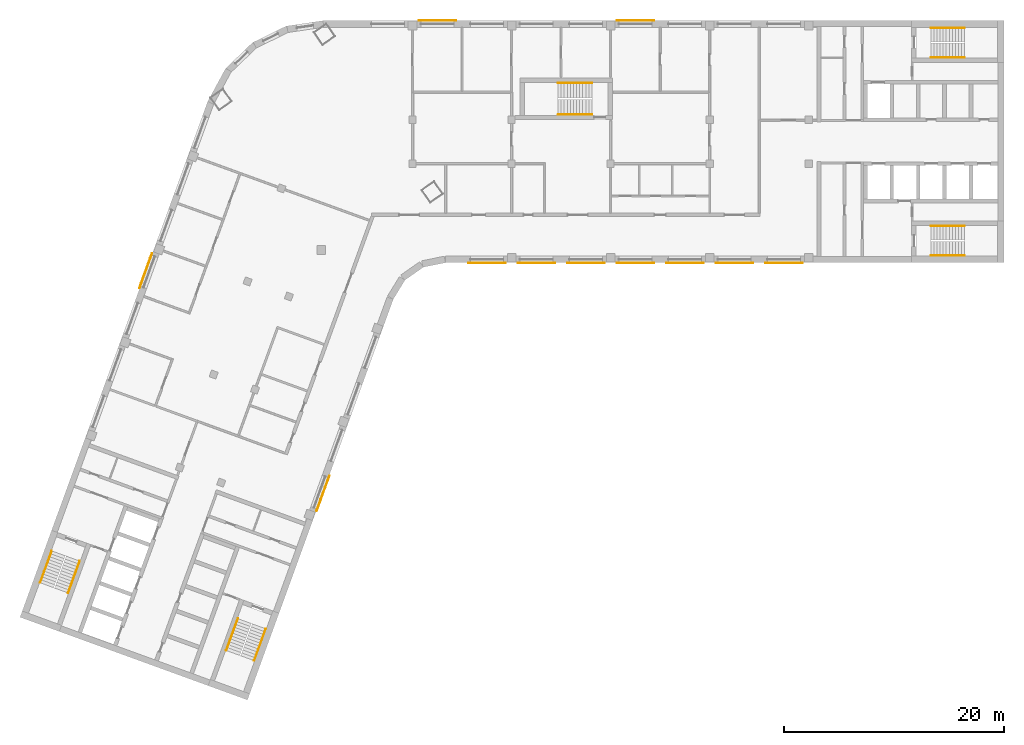
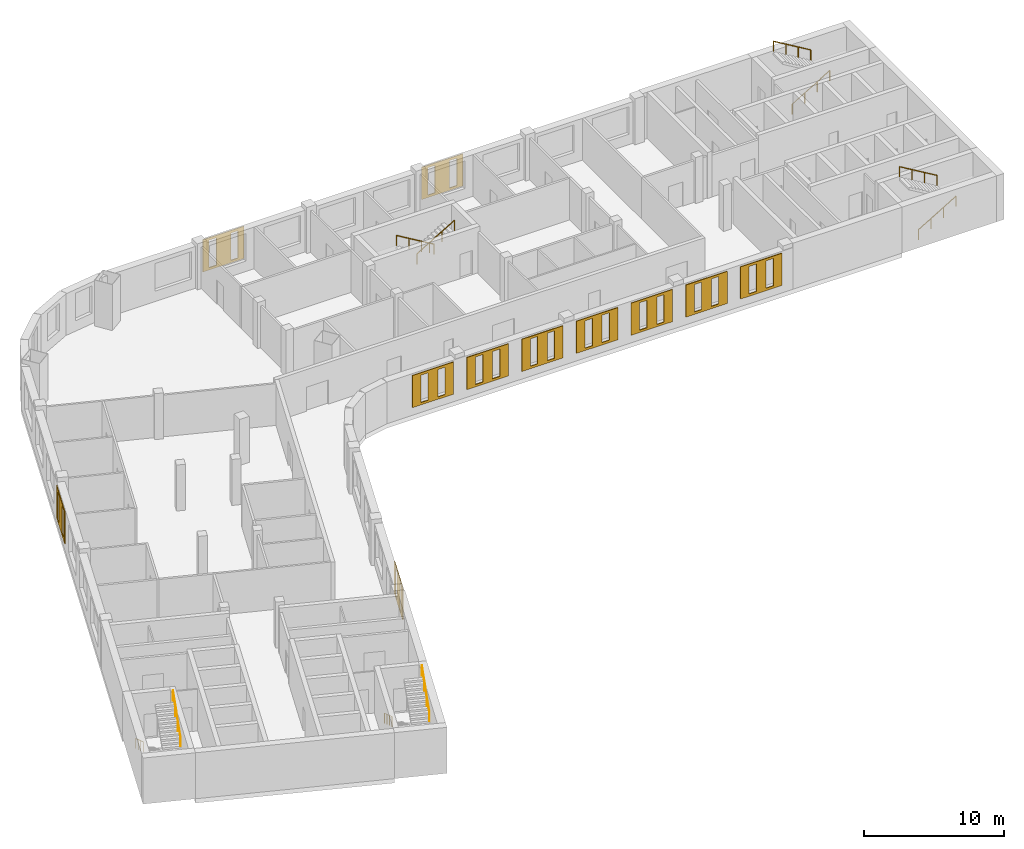
# One storey, part 9 of 9: 11 coverings, 10 railings.
"""IFC4 building model written with IfcOpenShell, lengths in metres."""

from ifc_helpers import new_model, si_unit, direction, frame, origin, origin_2d, place, context, subcontext, project, spatial, polyline, circle, outline, extrude, material, material_profile, profile_set, type_object, element, save


model = new_model("IFC4")

# Units and contexts
model_context = context("Model", 3, precision=1e-05, world=origin(), true_north=direction((0.0, 1.0)))
body_context = subcontext(model_context, "Body", "Model", "MODEL_VIEW")
ifc_project = project(units=[si_unit("LENGTHUNIT", "METRE"), si_unit("AREAUNIT", "SQUARE_METRE"), si_unit("VOLUMEUNIT", "CUBIC_METRE"), si_unit("PLANEANGLEUNIT", "RADIAN"), si_unit("MASSUNIT", "GRAM", prefix="KILO")], contexts=[model_context])

# Site, building, storey
site_placement = place(None, origin())
site = spatial("IfcSite", under=ifc_project, at=site_placement, CompositionType="ELEMENT")
building_placement = place(site_placement, origin())
building = spatial("IfcBuilding", under=site, at=building_placement, Name="Skarvind Civic Tower", CompositionType="ELEMENT")
storey_placement = place(building_placement, frame((0.0, 0.0, 158.5)))
storey = spatial("IfcBuildingStorey", under=building, at=storey_placement, Name="L37", CompositionType="ELEMENT", Elevation=158.5)

# Railings
ifc_material_1 = material(Name="Painted steel handrail", Category="steel")
railing_type = type_object("IfcRailingType", Name="Stair handrail 900", PredefinedType="HANDRAIL", material=ifc_material_1)
railing_1_placement = place(storey_placement, frame((101.35009765625, 135.64990234375, 0.166748046875)))
element("IfcRailing", 1, at=railing_1_placement, inside=storey, type_object=railing_type, Name="Stair handrail", PredefinedType="HANDRAIL", context=body_context, shape_type="SweptSolid", body=[
    extrude(circle(Radius=0.02392578125, at=origin_2d()), frame((0.0, 0.0, 0.8759765625), z_axis=(0.859290745958, 0.0, 0.51148745235), x_axis=(0.0, 1.0, 0.0)), (0.0, 0.0, 1.0), 3.584228515625),
    extrude(circle(Radius=0.02099609375, at=origin_2d()), origin(), (0.0, 0.0, 1.0), 0.851806640625),
    extrude(circle(Radius=0.02099609375, at=origin_2d()), frame((1.026611328125, 0.0, 0.611083984375)), (0.0, 0.0, 1.0), 0.851806640625),
    extrude(circle(Radius=0.02099609375, at=origin_2d()), frame((2.05322265625, 0.0, 1.22216796875)), (0.0, 0.0, 1.0), 0.851806640625),
    extrude(circle(Radius=0.02099609375, at=origin_2d()), frame((3.079833984375, 0.0, 1.833251953125)), (0.0, 0.0, 1.0), 0.851806640625),
])
railing_2_placement = place(storey_placement, frame((104.429931640625, 138.35009765625, 2.166748046875)))
element("IfcRailing", 2, at=railing_2_placement, inside=storey, type_object=railing_type, Name="Stair handrail", PredefinedType="HANDRAIL", context=body_context, shape_type="SweptSolid", body=[
    extrude(circle(Radius=0.02392578125, at=origin_2d()), frame((0.0, 0.0, 0.8759765625), z_axis=(-0.859290745958, 0.0, 0.51148745235), x_axis=(0.0, -1.0, 0.0)), (0.0, 0.0, 1.0), 3.584228515625),
    extrude(circle(Radius=0.02099609375, at=origin_2d()), origin(), (0.0, 0.0, 1.0), 0.851806640625),
    extrude(circle(Radius=0.02099609375, at=origin_2d()), frame((-1.026611328125, 0.0, 0.611083984375)), (0.0, 0.0, 1.0), 0.851806640625),
    extrude(circle(Radius=0.02099609375, at=origin_2d()), frame((-2.05322265625, 0.0, 1.22216796875)), (0.0, 0.0, 1.0), 0.851806640625),
    extrude(circle(Radius=0.02099609375, at=origin_2d()), frame((-3.079833984375, 0.0, 1.833251953125)), (0.0, 0.0, 1.0), 0.851806640625),
])
railing_3_placement = place(storey_placement, frame((101.35009765625, 117.64990234375, 0.166748046875)))
element("IfcRailing", 3, at=railing_3_placement, inside=storey, type_object=railing_type, Name="Stair handrail", PredefinedType="HANDRAIL", context=body_context, shape_type="SweptSolid", body=[
    extrude(circle(Radius=0.02392578125, at=origin_2d()), frame((0.0, 0.0, 0.8759765625), z_axis=(0.859290745958, 0.0, 0.51148745235), x_axis=(0.0, 1.0, 0.0)), (0.0, 0.0, 1.0), 3.584228515625),
    extrude(circle(Radius=0.02099609375, at=origin_2d()), origin(), (0.0, 0.0, 1.0), 0.851806640625),
    extrude(circle(Radius=0.02099609375, at=origin_2d()), frame((1.026611328125, 0.0, 0.611083984375)), (0.0, 0.0, 1.0), 0.851806640625),
    extrude(circle(Radius=0.02099609375, at=origin_2d()), frame((2.05322265625, 0.0, 1.22216796875)), (0.0, 0.0, 1.0), 0.851806640625),
    extrude(circle(Radius=0.02099609375, at=origin_2d()), frame((3.079833984375, 0.0, 1.833251953125)), (0.0, 0.0, 1.0), 0.851806640625),
])
railing_4_placement = place(storey_placement, frame((104.429931640625, 120.35009765625, 2.166748046875)))
element("IfcRailing", 4, at=railing_4_placement, inside=storey, type_object=railing_type, Name="Stair handrail", PredefinedType="HANDRAIL", context=body_context, shape_type="SweptSolid", body=[
    extrude(circle(Radius=0.02392578125, at=origin_2d()), frame((0.0, 0.0, 0.8759765625), z_axis=(-0.859290745958, 0.0, 0.51148745235), x_axis=(0.0, -1.0, 0.0)), (0.0, 0.0, 1.0), 3.584228515625),
    extrude(circle(Radius=0.02099609375, at=origin_2d()), origin(), (0.0, 0.0, 1.0), 0.851806640625),
    extrude(circle(Radius=0.02099609375, at=origin_2d()), frame((-1.026611328125, 0.0, 0.611083984375)), (0.0, 0.0, 1.0), 0.851806640625),
    extrude(circle(Radius=0.02099609375, at=origin_2d()), frame((-2.05322265625, 0.0, 1.22216796875)), (0.0, 0.0, 1.0), 0.851806640625),
    extrude(circle(Radius=0.02099609375, at=origin_2d()), frame((-3.079833984375, 0.0, 1.833251953125)), (0.0, 0.0, 1.0), 0.851806640625),
])
railing_5_placement = place(storey_placement, frame((38.362060546875, 84.64794921875, 0.166748046875)))
element("IfcRailing", 5, at=railing_5_placement, inside=storey, type_object=railing_type, Name="Stair handrail", PredefinedType="HANDRAIL", context=body_context, shape_type="SweptSolid", body=[
    extrude(circle(Radius=0.02392578125, at=origin_2d()), frame((0.0, 0.0, 0.8759765625), z_axis=(-0.293908055923, -0.807480881337, 0.511461319103), x_axis=(0.939689235759, -0.342029443467, 0.0)), (0.0, 0.0, 1.0), 3.584228515625),
    extrude(circle(Radius=0.02099609375, at=origin_2d()), origin(), (0.0, 0.0, 1.0), 0.851806640625),
    extrude(circle(Radius=0.02099609375, at=origin_2d()), frame((-0.35107421875, -0.96484375, 0.611083984375)), (0.0, 0.0, 1.0), 0.851806640625),
    extrude(circle(Radius=0.02099609375, at=origin_2d()), frame((-0.702392578125, -1.929443359375, 1.22216796875)), (0.0, 0.0, 1.0), 0.851806640625),
    extrude(circle(Radius=0.02099609375, at=origin_2d()), frame((-1.053466796875, -2.894287109375, 1.833251953125)), (0.0, 0.0, 1.0), 0.851806640625),
])
railing_6_placement = place(storey_placement, frame((39.845703125, 80.830078125, 2.166748046875)))
element("IfcRailing", 6, at=railing_6_placement, inside=storey, type_object=railing_type, Name="Stair handrail", PredefinedType="HANDRAIL", context=body_context, shape_type="SweptSolid", body=[
    extrude(circle(Radius=0.02392578125, at=origin_2d()), frame((0.0, 0.0, 0.8759765625), z_axis=(0.293908055923, 0.807480881337, 0.511461319103), x_axis=(-0.939689235759, 0.342029443467, 0.0)), (0.0, 0.0, 1.0), 3.584228515625),
    extrude(circle(Radius=0.02099609375, at=origin_2d()), origin(), (0.0, 0.0, 1.0), 0.851806640625),
    extrude(circle(Radius=0.02099609375, at=origin_2d()), frame((0.35107421875, 0.96484375, 0.611083984375)), (0.0, 0.0, 1.0), 0.851806640625),
    extrude(circle(Radius=0.02099609375, at=origin_2d()), frame((0.702392578125, 1.929443359375, 1.22216796875)), (0.0, 0.0, 1.0), 0.851806640625),
    extrude(circle(Radius=0.02099609375, at=origin_2d()), frame((1.053466796875, 2.894287109375, 1.833251953125)), (0.0, 0.0, 1.0), 0.851806640625),
])
railing_7_placement = place(storey_placement, frame((21.447509765625, 90.80419921875, 0.166748046875)))
element("IfcRailing", 7, at=railing_7_placement, inside=storey, type_object=railing_type, Name="Stair handrail", PredefinedType="HANDRAIL", context=body_context, shape_type="SweptSolid", body=[
    extrude(circle(Radius=0.02392578125, at=origin_2d()), frame((0.0, 0.0, 0.8759765625), z_axis=(-0.293845824691, -0.807497044902, 0.511471557163), x_axis=(0.939714709796, -0.34195944817, 0.0)), (0.0, 0.0, 1.0), 3.584228515625),
    extrude(circle(Radius=0.02099609375, at=origin_2d()), origin(), (0.0, 0.0, 1.0), 0.851806640625),
    extrude(circle(Radius=0.02099609375, at=origin_2d()), frame((-0.35107421875, -0.96484375, 0.611083984375)), (0.0, 0.0, 1.0), 0.851806640625),
    extrude(circle(Radius=0.02099609375, at=origin_2d()), frame((-0.7021484375, -1.929443359375, 1.22216796875)), (0.0, 0.0, 1.0), 0.851806640625),
    extrude(circle(Radius=0.02099609375, at=origin_2d()), frame((-1.05322265625, -2.894287109375, 1.833251953125)), (0.0, 0.0, 1.0), 0.851806640625),
])
railing_8_placement = place(storey_placement, frame((22.931396484375, 86.986572265625, 2.166748046875)))
element("IfcRailing", 8, at=railing_8_placement, inside=storey, type_object=railing_type, Name="Stair handrail", PredefinedType="HANDRAIL", context=body_context, shape_type="SweptSolid", body=[
    extrude(circle(Radius=0.02392578125, at=origin_2d()), frame((0.0, 0.0, 0.8759765625), z_axis=(0.293908055923, 0.807480881337, 0.511461319103), x_axis=(-0.939689235759, 0.342029443467, 0.0)), (0.0, 0.0, 1.0), 3.584228515625),
    extrude(circle(Radius=0.02099609375, at=origin_2d()), origin(), (0.0, 0.0, 1.0), 0.851806640625),
    extrude(circle(Radius=0.02099609375, at=origin_2d()), frame((0.35107421875, 0.96484375, 0.611083984375)), (0.0, 0.0, 1.0), 0.851806640625),
    extrude(circle(Radius=0.02099609375, at=origin_2d()), frame((0.702392578125, 1.929443359375, 1.22216796875)), (0.0, 0.0, 1.0), 0.851806640625),
    extrude(circle(Radius=0.02099609375, at=origin_2d()), frame((1.053466796875, 2.894287109375, 1.833251953125)), (0.0, 0.0, 1.0), 0.851806640625),
])
railing_9_placement = place(storey_placement, frame((70.550048828125, 133.35009765625, 0.166748046875)))
element("IfcRailing", 9, at=railing_9_placement, inside=storey, type_object=railing_type, Name="Stair handrail", PredefinedType="HANDRAIL", context=body_context, shape_type="SweptSolid", body=[
    extrude(circle(Radius=0.02392578125, at=origin_2d()), frame((0.0, 0.0, 0.8759765625), z_axis=(-0.859308565015, 0.0, 0.511457515432), x_axis=(0.0, -1.0, 0.0)), (0.0, 0.0, 1.0), 3.58447265625),
    extrude(circle(Radius=0.02099609375, at=origin_2d()), origin(), (0.0, 0.0, 1.0), 0.851806640625),
    extrude(circle(Radius=0.02099609375, at=origin_2d()), frame((-1.026611328125, 0.0, 0.611083984375)), (0.0, 0.0, 1.0), 0.851806640625),
    extrude(circle(Radius=0.02099609375, at=origin_2d()), frame((-2.053466796875, 0.0, 1.22216796875)), (0.0, 0.0, 1.0), 0.851806640625),
    extrude(circle(Radius=0.02099609375, at=origin_2d()), frame((-3.080078125, 0.0, 1.833251953125)), (0.0, 0.0, 1.0), 0.851806640625),
])
railing_10_placement = place(storey_placement, frame((67.469970703125, 130.449951171875, 2.166748046875)))
element("IfcRailing", 10, at=railing_10_placement, inside=storey, type_object=railing_type, Name="Stair handrail", PredefinedType="HANDRAIL", context=body_context, shape_type="SweptSolid", body=[
    extrude(circle(Radius=0.02392578125, at=origin_2d()), frame((0.0, 0.0, 0.8759765625), z_axis=(0.859308565015, 0.0, 0.511457515432), x_axis=(0.0, 1.0, 0.0)), (0.0, 0.0, 1.0), 3.58447265625),
    extrude(circle(Radius=0.02099609375, at=origin_2d()), origin(), (0.0, 0.0, 1.0), 0.851806640625),
    extrude(circle(Radius=0.02099609375, at=origin_2d()), frame((1.026611328125, 0.0, 0.611083984375)), (0.0, 0.0, 1.0), 0.851806640625),
    extrude(circle(Radius=0.02099609375, at=origin_2d()), frame((2.053466796875, 0.0, 1.22216796875)), (0.0, 0.0, 1.0), 0.851806640625),
    extrude(circle(Radius=0.02099609375, at=origin_2d()), frame((3.080078125, 0.0, 1.833251953125)), (0.0, 0.0, 1.0), 0.851806640625),
])

# Coverings
ifc_material_2 = material(Name="Terracotta", Category="masonry")
ifc_material_profile_1 = material_profile(ifc_material_2, outline(polyline([(-1.699951171875, -1.39990234375), (1.699951171875, -1.39990234375), (1.699951171875, 1.39990234375), (-1.699951171875, 1.39990234375), (-1.699951171875, -1.39990234375)]), holes=[polyline([(-1.0, -1.18994140625), (-0.39990234375, -1.18994140625), (-0.39990234375, 1.18994140625), (-1.0, 1.18994140625), (-1.0, -1.18994140625)]), polyline([(0.39990234375, -1.18994140625), (1.0, -1.18994140625), (1.0, 1.18994140625), (0.39990234375, 1.18994140625), (0.39990234375, -1.18994140625)])]), Name="TERRACOTTA SCREEN 3400 x 2800, SLIT PITCH 1400")
ifc_profile_set_1 = profile_set([ifc_material_profile_1], Name="Terracotta")
covering_type_1 = type_object("IfcCoveringType", Name="TERRACOTTA SCREEN 3400 x 2800, SLIT PITCH 1400", PredefinedType="CLADDING", material=ifc_profile_set_1)
for number, where, z_axis, x_axis, name in (
    (11, (88.0, 117.0, 2.10009765625), (0.0, -1.0, 0.0), (1.0, 0.0, 0.0), "TERRACOTTA SCREEN"),
    (12, (83.5, 117.0, 2.10009765625), (0.0, -1.0, 0.0), (1.0, 0.0, 0.0), "TERRACOTTA SCREEN"),
    (13, (79.0, 117.0, 2.10009765625), (0.0, -1.0, 0.0), (1.0, 0.0, 0.0), "TERRACOTTA SCREEN"),
    (14, (74.5, 117.0, 2.10009765625), (0.0, -1.0, 0.0), (1.0, 0.0, 0.0), "TERRACOTTA SCREEN"),
    (15, (70.0, 117.0, 2.10009765625), (0.0, -1.0, 0.0), (1.0, 0.0, 0.0), "TERRACOTTA SCREEN"),
    (16, (65.5, 117.0, 2.10009765625), (0.0, -1.0, 0.0), (1.0, 0.0, 0.0), "TERRACOTTA SCREEN"),
    (17, (61.0, 117.0, 2.10009765625), (0.0, -1.0, 0.0), (1.0, 0.0, 0.0), "TERRACOTTA SCREEN"),
):
    element("IfcCovering", number, at=place(storey_placement, frame(where, z_axis=z_axis, x_axis=x_axis)), inside=storey, type_object=covering_type_1, Name=name, PredefinedType="CLADDING", context=body_context, shape_type="SweptSolid", body=[
        extrude(outline(polyline([(-1.699951171875, -1.39990234375), (1.699951171875, -1.39990234375), (1.699951171875, 1.39990234375), (-1.699951171875, 1.39990234375), (-1.699951171875, -1.39990234375)]), holes=[polyline([(-1.0, -1.18994140625), (-0.39990234375, -1.18994140625), (-0.39990234375, 1.18994140625), (-1.0, 1.18994140625), (-1.0, -1.18994140625)]), polyline([(0.39990234375, -1.18994140625), (1.0, -1.18994140625), (1.0, 1.18994140625), (0.39990234375, 1.18994140625), (0.39990234375, -1.18994140625)])]), origin(), (0.0, 0.0, 1.0), 0.06005859375),
    ])
ifc_material_profile_2 = material_profile(ifc_material_2, outline(polyline([(-1.699951171875, -1.39990234375), (1.699951171875, -1.39990234375), (1.699951171875, 1.39990234375), (-1.699951171875, 1.39990234375), (-1.699951171875, -1.39990234375)]), holes=[polyline([(-1.199951171875, -1.18994140625), (-0.60009765625, -1.18994140625), (-0.60009765625, 1.18994140625), (-1.199951171875, 1.18994140625), (-1.199951171875, -1.18994140625)]), polyline([(0.60009765625, -1.18994140625), (1.199951171875, -1.18994140625), (1.199951171875, 1.18994140625), (0.60009765625, 1.18994140625), (0.60009765625, -1.18994140625)])]), Name="TERRACOTTA SCREEN 3400 x 2800, SLIT PITCH 1800")
ifc_profile_set_2 = profile_set([ifc_material_profile_2], Name="Terracotta")
covering_type_2 = type_object("IfcCoveringType", Name="TERRACOTTA SCREEN 3400 x 2800, SLIT PITCH 1800", PredefinedType="CLADDING", material=ifc_profile_set_2)
for number, where, z_axis, x_axis, name in (
    (18, (46.075927734375, 96.047119140625, 2.10009765625), (0.939793423488, -0.341743063087, 0.0), (0.341743063087, 0.939793423488, 0.0), "TERRACOTTA SCREEN"),
    (19, (56.5, 139.0, 2.10009765625), (0.0, 1.0, 0.0), (-1.0, 0.0, 0.0), "TERRACOTTA SCREEN"),
    (20, (74.5, 139.0, 2.10009765625), (0.0, 1.0, 0.0), (-1.0, 0.0, 0.0), "TERRACOTTA SCREEN"),
    (21, (30.02001953125, 116.25732421875, 2.10009765625), (-0.939793423488, 0.341743063087, 0.0), (-0.341743063087, -0.939793423488, 0.0), "TERRACOTTA SCREEN"),
):
    element("IfcCovering", number, at=place(storey_placement, frame(where, z_axis=z_axis, x_axis=x_axis)), inside=storey, type_object=covering_type_2, Name=name, PredefinedType="CLADDING", context=body_context, shape_type="SweptSolid", body=[
        extrude(outline(polyline([(-1.699951171875, -1.39990234375), (1.699951171875, -1.39990234375), (1.699951171875, 1.39990234375), (-1.699951171875, 1.39990234375), (-1.699951171875, -1.39990234375)]), holes=[polyline([(-1.199951171875, -1.18994140625), (-0.60009765625, -1.18994140625), (-0.60009765625, 1.18994140625), (-1.199951171875, 1.18994140625), (-1.199951171875, -1.18994140625)]), polyline([(0.60009765625, -1.18994140625), (1.199951171875, -1.18994140625), (1.199951171875, 1.18994140625), (0.60009765625, 1.18994140625), (0.60009765625, -1.18994140625)])]), origin(), (0.0, 0.0, 1.0), 0.06005859375),
    ])

save(model, "model.ifc")
